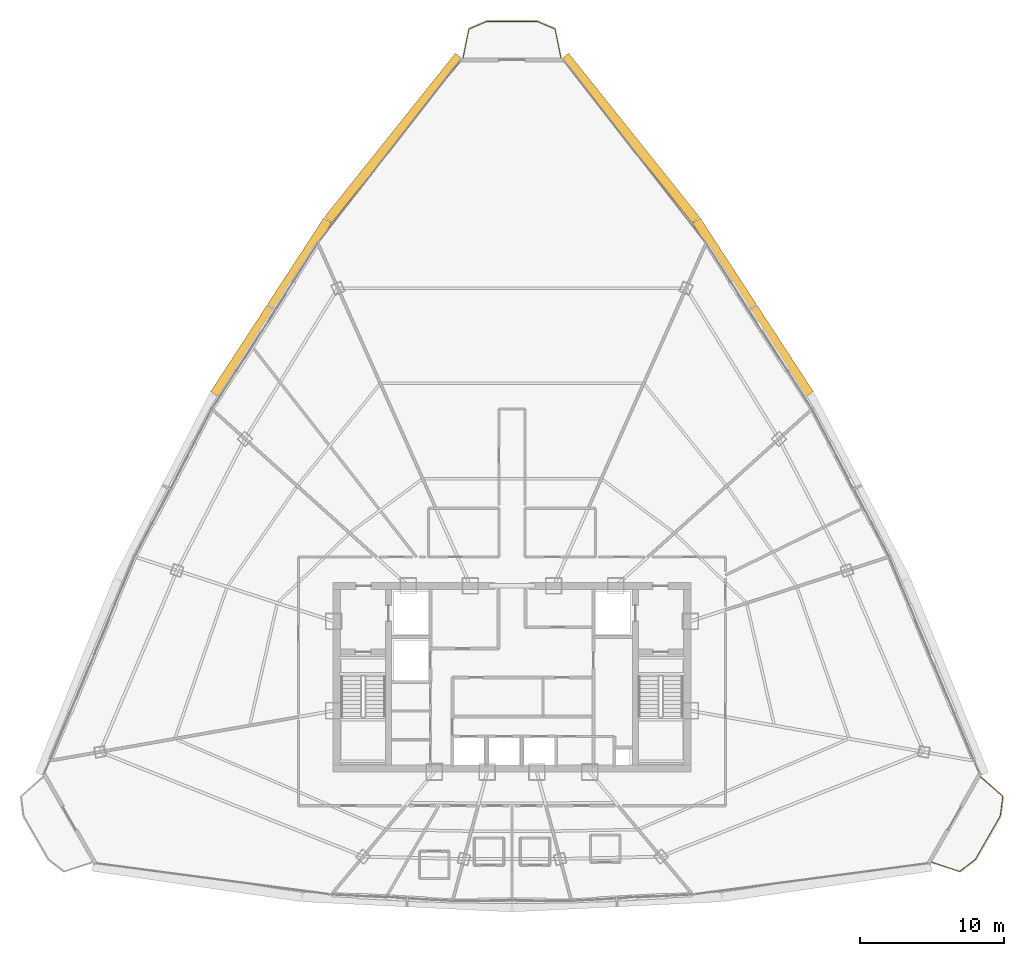
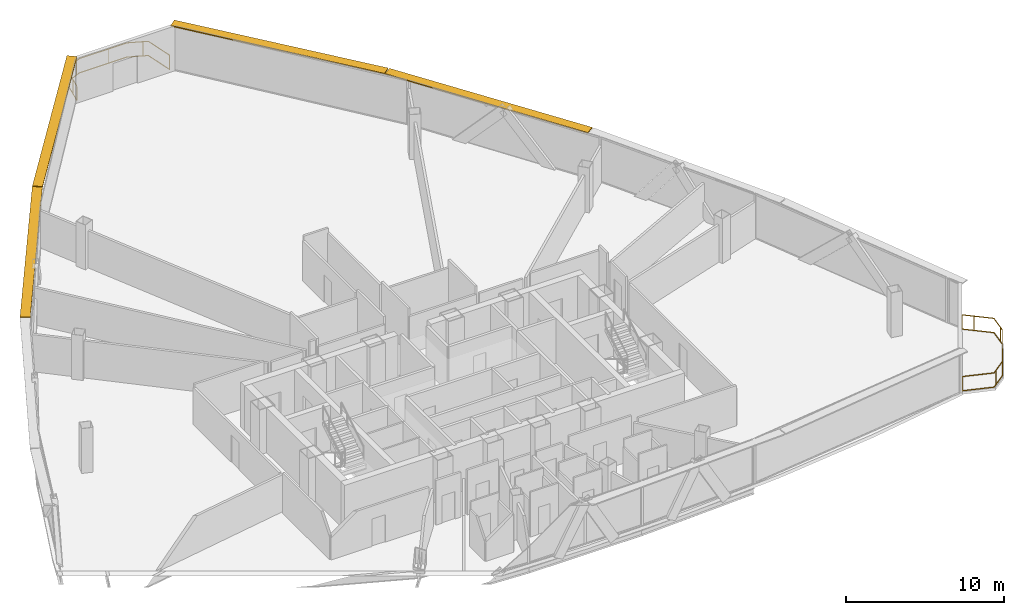
# One storey, part 37 of 37: 4 shading devices, 2 railings.
"""IFC4 building model written with IfcOpenShell, lengths in metres."""

from ifc_helpers import new_model, si_unit, direction, frame, origin, origin_2d, place, context, subcontext, project, spatial, rectangle, extrude, source, transform, mapped, material, layer, layer_set, type_object, element, save


model = new_model("IFC4")

# Units and contexts
model_context = context("Model", 3, precision=1e-05, world=origin(), true_north=direction((0.0, 1.0)))
body_context = subcontext(model_context, "Body", "Model", "MODEL_VIEW")
ifc_project = project(units=[si_unit("LENGTHUNIT", "METRE"), si_unit("AREAUNIT", "SQUARE_METRE"), si_unit("VOLUMEUNIT", "CUBIC_METRE"), si_unit("PLANEANGLEUNIT", "RADIAN"), si_unit("MASSUNIT", "GRAM", prefix="KILO"), si_unit("THERMODYNAMICTEMPERATUREUNIT", "KELVIN"), si_unit("POWERUNIT", "WATT")], contexts=[model_context])

# Site, building, storey
site_placement = place(None, origin())
site = spatial("IfcSite", under=ifc_project, at=site_placement, CompositionType="ELEMENT")
building_placement = place(site_placement, origin())
building = spatial("IfcBuilding", under=site, at=building_placement, Name="Yunzhuo Pagoda Commons", CompositionType="ELEMENT")
storey_placement = place(building_placement, frame((0.0, 0.0, 277.56005859375)))
storey = spatial("IfcBuildingStorey", under=building, at=storey_placement, Name="L69", CompositionType="ELEMENT", Elevation=277.56005859375)

# Railings
ifc_material = material(Name="Anodized aluminium 6063-T6", Category="aluminium")
railing_type = type_object("IfcRailingType", Name="RL-BAL1 Exterior Terrace & Balcony Balustrade 1150", PredefinedType="BALUSTRADE", material=ifc_material)
railing_1_placement = place(storey_placement, frame((77.193603515625, 20.98388671875, 0.0)))
element("IfcRailing", 1, at=railing_1_placement, inside=storey, type_object=railing_type, Name="L69 corner balcony balustrade V2", PredefinedType="BALUSTRADE", context=body_context, shape_type="SweptSolid", body=[
    extrude(rectangle(XDim=0.048095703125, YDim=0.048095703125, at=origin_2d()), frame((0.0, 0.0, 1.1259765625), z_axis=(0.947419062147, -0.319995501031, 0.0), x_axis=(0.319995501031, 0.947419062147, 0.0)), (0.0, 0.0, 1.0), 2.05908203125),
    extrude(rectangle(XDim=0.048095703125, YDim=0.048095703125, at=origin_2d()), frame((0.0, 0.0, 0.02392578125), z_axis=(0.947419062147, -0.319995501031, 0.0), x_axis=(0.319995501031, 0.947419062147, 0.0)), (0.0, 0.0, 1.0), 2.05908203125),
    extrude(rectangle(XDim=0.048095703125, YDim=0.048095703125, at=origin_2d()), frame((1.950927734375, -0.658935546875, 1.1259765625), z_axis=(0.793797866596, 0.608181672684, 0.0), x_axis=(-0.608181672684, 0.793797866596, 0.0)), (0.0, 0.0, 1.0), 1.37451171875),
    extrude(rectangle(XDim=0.048095703125, YDim=0.048095703125, at=origin_2d()), frame((1.950927734375, -0.658935546875, 0.02392578125), z_axis=(0.793797866596, 0.608181672684, 0.0), x_axis=(-0.608181672684, 0.793797866596, 0.0)), (0.0, 0.0, 1.0), 1.37451171875),
    extrude(rectangle(XDim=0.048095703125, YDim=0.048095703125, at=origin_2d()), frame((3.0419921875, 0.177001953125, 1.1259765625), z_axis=(0.49794239508, 0.867210107864, 0.0), x_axis=(-0.867210107864, 0.49794239508, 0.0)), (0.0, 0.0, 1.0), 3.496826171875),
    extrude(rectangle(XDim=0.048095703125, YDim=0.048095703125, at=origin_2d()), frame((3.0419921875, 0.177001953125, 0.02392578125), z_axis=(0.49794239508, 0.867210107864, 0.0), x_axis=(-0.867210107864, 0.49794239508, 0.0)), (0.0, 0.0, 1.0), 3.496826171875),
    extrude(rectangle(XDim=0.048095703125, YDim=0.048095703125, at=origin_2d()), frame((4.783203125, 3.20947265625, 1.1259765625), z_axis=(0.125040239257, 0.99215167115, 0.0), x_axis=(-0.99215167115, 0.125040239257, 0.0)), (0.0, 0.0, 1.0), 1.37451171875),
    extrude(rectangle(XDim=0.048095703125, YDim=0.048095703125, at=origin_2d()), frame((4.783203125, 3.20947265625, 0.02392578125), z_axis=(0.125040239257, 0.99215167115, 0.0), x_axis=(-0.99215167115, 0.125040239257, 0.0)), (0.0, 0.0, 1.0), 1.37451171875),
    extrude(rectangle(XDim=0.048095703125, YDim=0.048095703125, at=origin_2d()), frame((4.955078125, 4.5732421875, 1.1259765625), z_axis=(-0.753933830692, 0.656950362614, 0.0), x_axis=(-0.656950362614, -0.753933830692, 0.0)), (0.0, 0.0, 1.0), 2.05908203125),
    extrude(rectangle(XDim=0.048095703125, YDim=0.048095703125, at=origin_2d()), frame((4.955078125, 4.5732421875, 0.02392578125), z_axis=(-0.753933830692, 0.656950362614, 0.0), x_axis=(-0.656950362614, -0.753933830692, 0.0)), (0.0, 0.0, 1.0), 2.05908203125),
    extrude(rectangle(XDim=0.0419921875, YDim=0.0419921875, at=origin_2d()), origin(), (0.0, 0.0, 1.0), 1.101806640625),
    extrude(rectangle(XDim=0.0419921875, YDim=0.0419921875, at=origin_2d()), frame((2.221435546875, -0.45166015625, 0.0)), (0.0, 0.0, 1.0), 1.101806640625),
    extrude(rectangle(XDim=0.0419921875, YDim=0.0419921875, at=origin_2d()), frame((3.722412109375, 1.36181640625, 0.0)), (0.0, 0.0, 1.0), 1.101806640625),
    extrude(rectangle(XDim=0.0419921875, YDim=0.0419921875, at=origin_2d()), frame((4.81689453125, 3.476806640625, 0.0)), (0.0, 0.0, 1.0), 1.101806640625),
    extrude(rectangle(XDim=0.0419921875, YDim=0.0419921875, at=origin_2d()), frame((3.978759765625, 5.424072265625, 0.0)), (0.0, 0.0, 1.0), 1.101806640625),
    extrude(rectangle(XDim=0.0419921875, YDim=0.0419921875, at=origin_2d()), frame((3.402587890625, 5.926025390625, 0.0)), (0.0, 0.0, 1.0), 1.101806640625),
])
railing_2_placement = place(storey_placement, frame((51.402099609375, 76.9228515625, 0.0)))
element("IfcRailing", 2, at=railing_2_placement, inside=storey, type_object=railing_type, Name="L69 corner balcony balustrade V3", PredefinedType="BALUSTRADE", context=body_context, shape_type="SweptSolid", body=[
    extrude(rectangle(XDim=0.048095703125, YDim=0.048095703125, at=origin_2d()), frame((0.0, 0.0, 1.1259765625), z_axis=(-0.194200568098, 0.980961843983, 0.0), x_axis=(-0.980961843983, -0.194200568098, 0.0)), (0.0, 0.0, 1.0), 2.059326171875),
    extrude(rectangle(XDim=0.048095703125, YDim=0.048095703125, at=origin_2d()), frame((0.0, 0.0, 0.02392578125), z_axis=(-0.194200568098, 0.980961843983, 0.0), x_axis=(-0.980961843983, -0.194200568098, 0.0)), (0.0, 0.0, 1.0), 2.059326171875),
    extrude(rectangle(XDim=0.048095703125, YDim=0.048095703125, at=origin_2d()), frame((-0.39990234375, 2.02001953125, 1.1259765625), z_axis=(-0.921873740634, 0.387490395144, 0.0), x_axis=(-0.387490395144, -0.921873740634, 0.0)), (0.0, 0.0, 1.0), 1.367919921875),
    extrude(rectangle(XDim=0.048095703125, YDim=0.048095703125, at=origin_2d()), frame((-0.39990234375, 2.02001953125, 0.02392578125), z_axis=(-0.921873740634, 0.387490395144, 0.0), x_axis=(-0.387490395144, -0.921873740634, 0.0)), (0.0, 0.0, 1.0), 1.367919921875),
    extrude(rectangle(XDim=0.048095703125, YDim=0.048095703125, at=origin_2d()), frame((-1.660888671875, 2.550048828125, 1.1259765625), z_axis=(-1.0, 0.0, 0.0), x_axis=(0.0, -1.0, 0.0)), (0.0, 0.0, 1.0), 3.482421875),
    extrude(rectangle(XDim=0.048095703125, YDim=0.048095703125, at=origin_2d()), frame((-1.660888671875, 2.550048828125, 0.02392578125), z_axis=(-1.0, 0.0, 0.0), x_axis=(0.0, -1.0, 0.0)), (0.0, 0.0, 1.0), 3.482421875),
    extrude(rectangle(XDim=0.048095703125, YDim=0.048095703125, at=origin_2d()), frame((-5.143310546875, 2.550048828125, 1.1259765625), z_axis=(-0.921873740634, -0.387490395144, 0.0), x_axis=(0.387490395144, -0.921873740634, 0.0)), (0.0, 0.0, 1.0), 1.367919921875),
    extrude(rectangle(XDim=0.048095703125, YDim=0.048095703125, at=origin_2d()), frame((-5.143310546875, 2.550048828125, 0.02392578125), z_axis=(-0.921873740634, -0.387490395144, 0.0), x_axis=(0.387490395144, -0.921873740634, 0.0)), (0.0, 0.0, 1.0), 1.367919921875),
    extrude(rectangle(XDim=0.048095703125, YDim=0.048095703125, at=origin_2d()), frame((-6.404296875, 2.02001953125, 1.1259765625), z_axis=(-0.194200568098, -0.980961843983, 0.0), x_axis=(0.980961843983, -0.194200568098, 0.0)), (0.0, 0.0, 1.0), 2.059326171875),
    extrude(rectangle(XDim=0.048095703125, YDim=0.048095703125, at=origin_2d()), frame((-6.404296875, 2.02001953125, 0.02392578125), z_axis=(-0.194200568098, -0.980961843983, 0.0), x_axis=(0.980961843983, -0.194200568098, 0.0)), (0.0, 0.0, 1.0), 2.059326171875),
    extrude(rectangle(XDim=0.0419921875, YDim=0.0419921875, at=origin_2d()), origin(), (0.0, 0.0, 1.0), 1.101806640625),
    extrude(rectangle(XDim=0.0419921875, YDim=0.0419921875, at=origin_2d()), frame((-0.714111328125, 2.152099609375, 0.0)), (0.0, 0.0, 1.0), 1.101806640625),
    extrude(rectangle(XDim=0.0419921875, YDim=0.0419921875, at=origin_2d()), frame((-3.033935546875, 2.550048828125, 0.0)), (0.0, 0.0, 1.0), 1.101806640625),
    extrude(rectangle(XDim=0.0419921875, YDim=0.0419921875, at=origin_2d()), frame((-5.4111328125, 2.4375, 0.0)), (0.0, 0.0, 1.0), 1.101806640625),
    extrude(rectangle(XDim=0.0419921875, YDim=0.0419921875, at=origin_2d()), frame((-6.6611328125, 0.72265625, 0.0)), (0.0, 0.0, 1.0), 1.101806640625),
    extrude(rectangle(XDim=0.0419921875, YDim=0.0419921875, at=origin_2d()), frame((-6.80419921875, 0.0, 0.0)), (0.0, 0.0, 1.0), 1.101806640625),
])

# Shading devices
ifc_layer = layer(ifc_material, 0.080078125)
ifc_layer_set = layer_set([ifc_layer], Name="Anodized aluminium 6063-T6")
shading_device_type = type_object("IfcShadingDeviceType", Name="SH-SUN1 Pagoda Horizontal Sunshade Eave 650", PredefinedType="USERDEFINED", material=ifc_layer_set)
shared_shape_1 = source(origin(), body_context, "Body", "SweptSolid", [
    extrude(rectangle(XDim=14.5732421875, YDim=0.64990234375, at=origin_2d()), origin(), (0.0, 0.0, 1.0), 0.080078125),
])
for number, where, z_axis, x_axis, name in (
    (3, (56.23291015625, 71.3662109375, 3.389892578125), (0.0, 0.0, 1.0), (-0.624520471688, 0.781008438138, 0.0), "L69 horizontal pagoda sunshade eave F2.4"),
    (4, (39.76708984375, 71.3662109375, 3.389892578125), (0.0, 0.0, 1.0), (-0.624520471688, -0.781008438138, 0.0), "L69 horizontal pagoda sunshade eave F3.1"),
):
    element("IfcShadingDevice", number, at=place(storey_placement, frame(where, z_axis=z_axis, x_axis=x_axis)), inside=storey, type_object=shading_device_type, Name=name, ObjectType="SUNSHADE", PredefinedType="USERDEFINED", context=body_context, shape_type="MappedRepresentation", body=[
        mapped(shared_shape_1, transform((0.0, 0.0, 0.0), scale=1.0)),
    ])
shared_shape_2 = source(origin(), body_context, "Body", "SweptSolid", [
    extrude(rectangle(XDim=14.434814453125, YDim=0.64990234375, at=origin_2d()), origin(), (0.0, 0.0, 1.0), 0.080078125),
])
for number, where, z_axis, x_axis, name in (
    (5, (64.760009765625, 59.57666015625, 3.389892578125), (0.0, 0.0, 1.0), (-0.545838756973, 0.837890238269, 0.0), "L69 horizontal pagoda sunshade eave F2.3"),
    (6, (31.239990234375, 59.57666015625, 3.389892578125), (0.0, 0.0, 1.0), (-0.545838756973, -0.837890238269, 0.0), "L69 horizontal pagoda sunshade eave F3.2"),
):
    element("IfcShadingDevice", number, at=place(storey_placement, frame(where, z_axis=z_axis, x_axis=x_axis)), inside=storey, type_object=shading_device_type, Name=name, ObjectType="SUNSHADE", PredefinedType="USERDEFINED", context=body_context, shape_type="MappedRepresentation", body=[
        mapped(shared_shape_2, transform((0.0, 0.0, 0.0), scale=1.0)),
    ])

save(model, "model.ifc")
